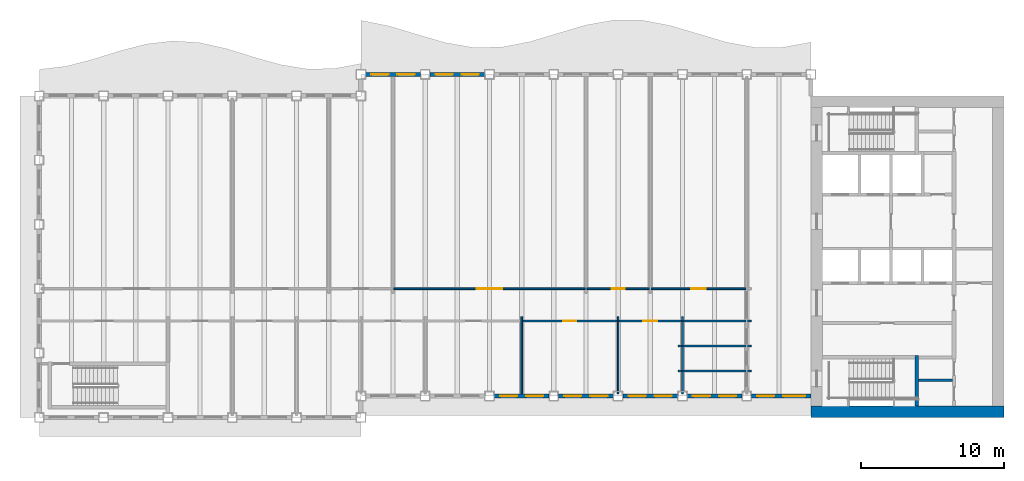
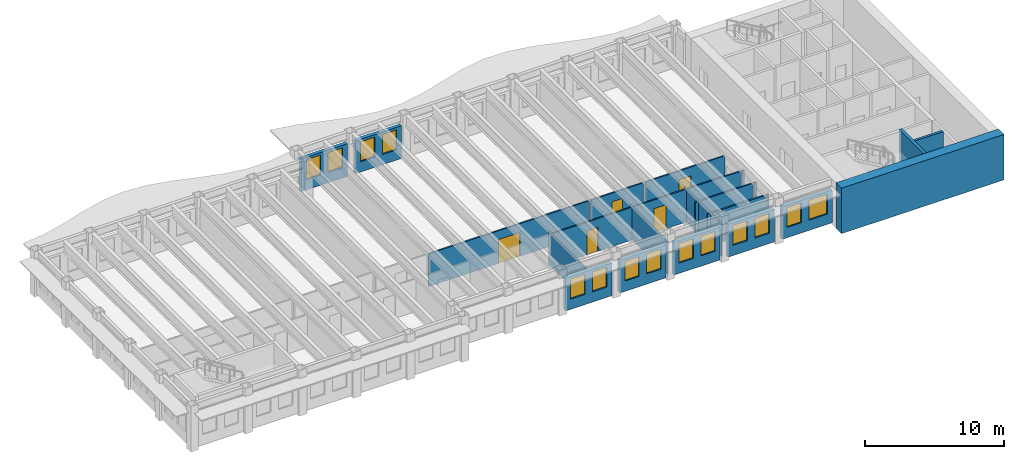
# One storey, part 4 of 12: 26 walls, 14 windows, 5 doors, 19 openings.
"""IFC4 building model written with IfcOpenShell, lengths in metres."""

from ifc_helpers import new_model, si_unit, direction, frame, frame_2d, origin, place, context, subcontext, project, spatial, rectangle, extrude, material, layer, layer_set, type_object, element, fill, save


model = new_model("IFC4")

# Units and contexts
model_context = context("Model", 3, precision=1e-05, world=origin(), true_north=direction((0.0, 1.0)))
body_context = subcontext(model_context, "Body", "Model", "MODEL_VIEW")
ifc_project = project(units=[si_unit("LENGTHUNIT", "METRE"), si_unit("AREAUNIT", "SQUARE_METRE"), si_unit("VOLUMEUNIT", "CUBIC_METRE"), si_unit("PLANEANGLEUNIT", "RADIAN"), si_unit("MASSUNIT", "GRAM", prefix="KILO")], contexts=[model_context])

# Site, building, storey
site_placement = place(None, origin())
site = spatial("IfcSite", under=ifc_project, at=site_placement, CompositionType="ELEMENT")
building_placement = place(site_placement, origin())
building = spatial("IfcBuilding", under=site, at=building_placement, Name="Sennacour Bend Tower", CompositionType="ELEMENT")
storey_placement = place(building_placement, frame((0.0, 0.0, 273.0)))
storey = spatial("IfcBuildingStorey", under=building, at=storey_placement, Name="L63", CompositionType="ELEMENT", Elevation=273.0)

# Walls
ifc_material_1 = material(Name="Concrete C50/60", Category="concrete")
ifc_layer_1 = layer(ifc_material_1, 0.800048828125, Name="Concrete C50/60", Category="concrete")
ifc_layer_set_1 = layer_set([ifc_layer_1], Name="Concrete C50/60")
wall_type_1 = type_object("IfcWallType", Name="Core wall 800 C50/60", PredefinedType="SHEAR", material=ifc_layer_set_1)
wall_1_placement = place(storey_placement, frame((67.5, 0.39990234375, -0.14990234375), z_axis=(0.0, 0.0, 1.0), x_axis=(-1.0, 0.0, 0.0)))
element("IfcWall", 1, at=wall_1_placement, inside=storey, type_object=wall_type_1, Name="Core A wall L63 S", PredefinedType="SHEAR", context=body_context, shape_type="SweptSolid", body=[
    extrude(rectangle(XDim=13.5, YDim=0.800048828125, at=frame_2d((6.75, 0.0))), origin(), (0.0, 0.0, 1.0), 4.0),
])
ifc_material_2 = material(Name="Plasterboard partition on steel studs", Category="steel")
ifc_layer_2 = layer(ifc_material_2, 0.1201171875, Name="Plasterboard partition on steel studs", Category="steel")
ifc_layer_set_2 = layer_set([ifc_layer_2], Name="Plasterboard partition on steel studs")
wall_type_2 = type_object("IfcWallType", Name="Partition 120", PredefinedType="PARTITIONING", material=ifc_layer_set_2)
for number, where, z_axis, x_axis, name in (
    (2, (33.75, 1.64990234375, 0.0), (0.0, 0.0, 1.0), (0.0, 1.0, 0.0), "P-L63-W013a"),
    (3, (40.5, 1.64990234375, 0.0), (0.0, 0.0, 1.0), (0.0, 1.0, 0.0), "P-L63-W015a"),
    (4, (45.0, 1.64990234375, 0.0), (0.0, 0.0, 1.0), (0.0, 1.0, 0.0), "P-L63-W017a"),
):
    element("IfcWall", number, at=place(storey_placement, frame(where, z_axis=z_axis, x_axis=x_axis)), inside=storey, type_object=wall_type_2, Name=name, PredefinedType="PARTITIONING", context=body_context, shape_type="SweptSolid", body=[
        extrude(rectangle(XDim=5.400146484375, YDim=0.1201171875, at=frame_2d((2.7001953125, 0.0))), origin(), (0.0, 0.0, 1.0), 2.8701171875),
    ])
wall_2_placement = place(storey_placement, frame((44.699951171875, 3.25, 0.0), z_axis=(0.0, 0.0, 1.0), x_axis=(1.0, 0.0, 0.0)))
element("IfcWall", 5, at=wall_2_placement, inside=storey, type_object=wall_type_2, Name="P-L63-W036aa", PredefinedType="PARTITIONING", context=body_context, shape_type="SweptSolid", body=[
    extrude(rectangle(XDim=0.239990234375, YDim=0.1201171875, at=frame_2d((0.1201171875, 0.0))), origin(), (0.0, 0.0, 1.0), 2.8701171875),
])
wall_3_placement = place(storey_placement, frame((45.06005859375, 3.25, 0.0), z_axis=(0.0, 0.0, 1.0), x_axis=(1.0, 0.0, 0.0)))
element("IfcWall", 6, at=wall_3_placement, inside=storey, type_object=wall_type_2, Name="P-L63-W036ab", PredefinedType="PARTITIONING", context=body_context, shape_type="SweptSolid", body=[
    extrude(rectangle(XDim=4.3798828125, YDim=0.1201171875, at=frame_2d((2.18994140625, 0.0))), origin(), (0.0, 0.0, 1.0), 2.8701171875),
])
for number, where, z_axis, x_axis, name in (
    (7, (49.56005859375, 3.25, 0.0), (0.0, 0.0, 1.0), (1.0, 0.0, 0.0), "P-L63-W036ac"),
    (8, (44.699951171875, 5.0, 0.0), (0.0, 0.0, 1.0), (1.0, 0.0, 0.0), "P-L63-W041aa"),
):
    element("IfcWall", number, at=place(storey_placement, frame(where, z_axis=z_axis, x_axis=x_axis)), inside=storey, type_object=wall_type_2, Name=name, PredefinedType="PARTITIONING", context=body_context, shape_type="SweptSolid", body=[
        extrude(rectangle(XDim=0.239990234375, YDim=0.1201171875, at=frame_2d((0.1201171875, 0.0))), origin(), (0.0, 0.0, 1.0), 2.8701171875),
    ])
wall_4_placement = place(storey_placement, frame((45.06005859375, 5.0, 0.0), z_axis=(0.0, 0.0, 1.0), x_axis=(1.0, 0.0, 0.0)))
element("IfcWall", 9, at=wall_4_placement, inside=storey, type_object=wall_type_2, Name="P-L63-W041ab", PredefinedType="PARTITIONING", context=body_context, shape_type="SweptSolid", body=[
    extrude(rectangle(XDim=4.3798828125, YDim=0.1201171875, at=frame_2d((2.18994140625, 0.0))), origin(), (0.0, 0.0, 1.0), 2.8701171875),
])
wall_5_placement = place(storey_placement, frame((49.56005859375, 5.0, 0.0), z_axis=(0.0, 0.0, 1.0), x_axis=(1.0, 0.0, 0.0)))
element("IfcWall", 10, at=wall_5_placement, inside=storey, type_object=wall_type_2, Name="P-L63-W041ac", PredefinedType="PARTITIONING", context=body_context, shape_type="SweptSolid", body=[
    extrude(rectangle(XDim=0.239990234375, YDim=0.1201171875, at=frame_2d((0.1201171875, 0.0))), origin(), (0.0, 0.0, 1.0), 2.8701171875),
])

# Wall, opening, door
wall_6_placement = place(storey_placement, frame((40.56005859375, 6.75, 0.0), z_axis=(0.0, 0.0, 1.0), x_axis=(1.0, 0.0, 0.0)))
wall_6 = element("IfcWall", 11, at=wall_6_placement, inside=storey, type_object=wall_type_2, Name="P-L63-W043ah", PredefinedType="PARTITIONING", context=body_context, shape_type="SweptSolid", body=[
    extrude(rectangle(XDim=4.3798828125, YDim=0.1201171875, at=frame_2d((2.18994140625, 0.0))), origin(), (0.0, 0.0, 1.0), 2.8701171875),
])
opening_1_placement = place(wall_6_placement, frame((1.68994140625, 0.0, 0.0)))
opening_1 = element("IfcOpeningElement", 12, at=opening_1_placement, cuts=wall_6, Name="Opening OD2", PredefinedType="OPENING", context=body_context, shape_type="SweptSolid", body=[
    extrude(rectangle(XDim=1.0, YDim=2.10009765625, at=frame_2d((0.5, 1.050048828125))), frame((0.0, 0.070068359375, 0.0), z_axis=(0.0, -1.0, 0.0), x_axis=(1.0, 0.0, 0.0)), (0.0, 0.0, 1.0), 0.14013671875),
])
ifc_material_3 = material(Name="Timber", Category="wood")
door_type_1 = type_object("IfcDoorType", Name="DR-OFFICE-1000", OperationType="NOTDEFINED", PredefinedType="DOOR", material=ifc_material_3)
door_1_placement = place(opening_1_placement, origin())
door_1 = element("IfcDoor", 13, at=door_1_placement, inside=storey, type_object=door_type_1, Name="Door", OperationType="SINGLE_SWING_LEFT", OverallHeight=2.10009765625, OverallWidth=1.0, PredefinedType="DOOR", context=body_context, shape_type="SweptSolid", body=[
    extrude(rectangle(XDim=1.0, YDim=2.10009765625, at=frame_2d((0.5, 1.050048828125))), frame((0.0, 0.02490234375, 0.0), z_axis=(0.0, -1.0, 0.0), x_axis=(1.0, 0.0, 0.0)), (0.0, 0.0, 1.0), 0.050048828125),
])
fill(opening_1, door_1)

# Walls
wall_7_placement = place(storey_placement, frame((45.06005859375, 6.75, 0.0), z_axis=(0.0, 0.0, 1.0), x_axis=(1.0, 0.0, 0.0)))
element("IfcWall", 14, at=wall_7_placement, inside=storey, type_object=wall_type_2, Name="P-L63-W043ai", PredefinedType="PARTITIONING", context=body_context, shape_type="SweptSolid", body=[
    extrude(rectangle(XDim=4.3798828125, YDim=0.1201171875, at=frame_2d((2.18994140625, 0.0))), origin(), (0.0, 0.0, 1.0), 2.8701171875),
])
wall_8_placement = place(storey_placement, frame((49.56005859375, 6.75, 0.0), z_axis=(0.0, 0.0, 1.0), x_axis=(1.0, 0.0, 0.0)))
element("IfcWall", 15, at=wall_8_placement, inside=storey, type_object=wall_type_2, Name="P-L63-W043aj", PredefinedType="PARTITIONING", context=body_context, shape_type="SweptSolid", body=[
    extrude(rectangle(XDim=0.239990234375, YDim=0.1201171875, at=frame_2d((0.1201171875, 0.0))), origin(), (0.0, 0.0, 1.0), 2.8701171875),
])

# Wall, opening, door
wall_9_placement = place(storey_placement, frame((24.81005859375, 9.0, 0.0), z_axis=(0.0, 0.0, 1.0), x_axis=(1.0, 0.0, 0.0)))
wall_9 = element("IfcWall", 16, at=wall_9_placement, inside=storey, type_object=wall_type_2, Name="P-L63-W044ad", PredefinedType="PARTITIONING", context=body_context, shape_type="SweptSolid", body=[
    extrude(rectangle(XDim=13.3798828125, YDim=0.1201171875, at=frame_2d((6.68994140625, 0.0))), origin(), (0.0, 0.0, 1.0), 2.8701171875),
])
opening_2_placement = place(wall_9_placement, frame((5.789794921875, 0.0, 0.0)))
opening_2 = element("IfcOpeningElement", 17, at=opening_2_placement, cuts=wall_9, Name="Opening OD3", PredefinedType="OPENING", context=body_context, shape_type="SweptSolid", body=[
    extrude(rectangle(XDim=1.800048828125, YDim=2.10009765625, at=frame_2d((0.89990234375, 1.050048828125))), frame((0.0, 0.070068359375, 0.0), z_axis=(0.0, -1.0, 0.0), x_axis=(1.0, 0.0, 0.0)), (0.0, 0.0, 1.0), 0.14013671875),
])
door_type_2 = type_object("IfcDoorType", Name="DR-OFFICE-1800", OperationType="NOTDEFINED", PredefinedType="DOOR", material=ifc_material_3)
door_2_placement = place(opening_2_placement, origin())
door_2 = element("IfcDoor", 18, at=door_2_placement, inside=storey, type_object=door_type_2, Name="Door", OperationType="DOUBLE_DOOR_SINGLE_SWING", OverallHeight=2.10009765625, OverallWidth=1.800048828125, PredefinedType="DOOR", context=body_context, shape_type="SweptSolid", body=[
    extrude(rectangle(XDim=1.800048828125, YDim=2.10009765625, at=frame_2d((0.89990234375, 1.050048828125))), frame((0.0, 0.02490234375, 0.0), z_axis=(0.0, -1.0, 0.0), x_axis=(1.0, 0.0, 0.0)), (0.0, 0.0, 1.0), 0.050048828125),
])
fill(opening_2, door_2)

wall_10_placement = place(storey_placement, frame((42.81005859375, 9.0, 0.0), z_axis=(0.0, 0.0, 1.0), x_axis=(1.0, 0.0, 0.0)))
wall_10 = element("IfcWall", 19, at=wall_10_placement, inside=storey, type_object=wall_type_2, Name="P-L63-W044af", PredefinedType="PARTITIONING", context=body_context, shape_type="SweptSolid", body=[
    extrude(rectangle(XDim=6.6298828125, YDim=0.1201171875, at=frame_2d((3.31494140625, 0.0))), origin(), (0.0, 0.0, 1.0), 2.8701171875),
])
opening_3_placement = place(wall_10_placement, frame((2.81494140625, 0.0, 0.0)))
opening_3 = element("IfcOpeningElement", 20, at=opening_3_placement, cuts=wall_10, Name="Opening OD2", PredefinedType="OPENING", context=body_context, shape_type="SweptSolid", body=[
    extrude(rectangle(XDim=1.0, YDim=2.10009765625, at=frame_2d((0.5, 1.050048828125))), frame((0.0, 0.070068359375, 0.0), z_axis=(0.0, -1.0, 0.0), x_axis=(1.0, 0.0, 0.0)), (0.0, 0.0, 1.0), 0.14013671875),
])
door_3_placement = place(opening_3_placement, origin())
door_3 = element("IfcDoor", 21, at=door_3_placement, inside=storey, type_object=door_type_1, Name="Door", OperationType="SINGLE_SWING_LEFT", OverallHeight=2.10009765625, OverallWidth=1.0, PredefinedType="DOOR", context=body_context, shape_type="SweptSolid", body=[
    extrude(rectangle(XDim=1.0, YDim=2.10009765625, at=frame_2d((0.5, 1.050048828125))), frame((0.0, 0.02490234375, 0.0), z_axis=(0.0, -1.0, 0.0), x_axis=(1.0, 0.0, 0.0)), (0.0, 0.0, 1.0), 0.050048828125),
])
fill(opening_3, door_3)

ifc_layer_3 = layer(ifc_material_2, 0.1201171875, Name="Plasterboard partition on steel studs", Category="steel")
ifc_layer_set_3 = layer_set([ifc_layer_3], Name="Plasterboard partition on steel studs")
wall_type_3 = type_object("IfcWallType", Name="Partition 120 EI 60", PredefinedType="PARTITIONING", material=ifc_layer_set_3)
wall_11_placement = place(storey_placement, frame((33.81005859375, 6.75, 0.0), z_axis=(0.0, 0.0, 1.0), x_axis=(1.0, 0.0, 0.0)))
wall_11 = element("IfcWall", 22, at=wall_11_placement, inside=storey, type_object=wall_type_3, Name="P-L63-W043ag", PredefinedType="PARTITIONING", context=body_context, shape_type="SweptSolid", body=[
    extrude(rectangle(XDim=6.6298828125, YDim=0.1201171875, at=frame_2d((3.31494140625, 0.0))), origin(), (0.0, 0.0, 1.0), 2.8701171875),
])
opening_4_placement = place(wall_11_placement, frame((2.864990234375, 0.0, 0.0)))
opening_4 = element("IfcOpeningElement", 23, at=opening_4_placement, cuts=wall_11, Name="Opening SV", PredefinedType="OPENING", context=body_context, shape_type="SweptSolid", body=[
    extrude(rectangle(XDim=0.89990234375, YDim=2.10009765625, at=frame_2d((0.449951171875, 1.050048828125))), frame((0.0, 0.070068359375, 0.0), z_axis=(0.0, -1.0, 0.0), x_axis=(1.0, 0.0, 0.0)), (0.0, 0.0, 1.0), 0.14013671875),
])
ifc_material_4 = material(Name="Painted steel", Category="steel")
door_type_3 = type_object("IfcDoorType", Name="DR-SERVICE-900", OperationType="NOTDEFINED", PredefinedType="DOOR", material=ifc_material_4)
door_4_placement = place(opening_4_placement, origin())
door_4 = element("IfcDoor", 24, at=door_4_placement, inside=storey, type_object=door_type_3, Name="Door", OperationType="SINGLE_SWING_LEFT", OverallHeight=2.10009765625, OverallWidth=0.89990234375, PredefinedType="DOOR", context=body_context, shape_type="SweptSolid", body=[
    extrude(rectangle(XDim=0.89990234375, YDim=2.10009765625, at=frame_2d((0.449951171875, 1.050048828125))), frame((0.0, 0.02490234375, 0.0), z_axis=(0.0, -1.0, 0.0), x_axis=(1.0, 0.0, 0.0)), (0.0, 0.0, 1.0), 0.050048828125),
])
fill(opening_4, door_4)

wall_12_placement = place(storey_placement, frame((38.31005859375, 9.0, 0.0), z_axis=(0.0, 0.0, 1.0), x_axis=(1.0, 0.0, 0.0)))
wall_12 = element("IfcWall", 25, at=wall_12_placement, inside=storey, type_object=wall_type_3, Name="P-L63-W044ae", PredefinedType="PARTITIONING", context=body_context, shape_type="SweptSolid", body=[
    extrude(rectangle(XDim=4.3798828125, YDim=0.1201171875, at=frame_2d((2.18994140625, 0.0))), origin(), (0.0, 0.0, 1.0), 2.8701171875),
])
opening_5_placement = place(wall_12_placement, frame((1.739990234375, 0.0, 0.0)))
opening_5 = element("IfcOpeningElement", 26, at=opening_5_placement, cuts=wall_12, Name="Opening SV", PredefinedType="OPENING", context=body_context, shape_type="SweptSolid", body=[
    extrude(rectangle(XDim=0.89990234375, YDim=2.10009765625, at=frame_2d((0.449951171875, 1.050048828125))), frame((0.0, 0.070068359375, 0.0), z_axis=(0.0, -1.0, 0.0), x_axis=(1.0, 0.0, 0.0)), (0.0, 0.0, 1.0), 0.14013671875),
])
door_5_placement = place(opening_5_placement, origin())
door_5 = element("IfcDoor", 27, at=door_5_placement, inside=storey, type_object=door_type_3, Name="Door", OperationType="SINGLE_SWING_LEFT", OverallHeight=2.10009765625, OverallWidth=0.89990234375, PredefinedType="DOOR", context=body_context, shape_type="SweptSolid", body=[
    extrude(rectangle(XDim=0.89990234375, YDim=2.10009765625, at=frame_2d((0.449951171875, 1.050048828125))), frame((0.0, 0.02490234375, 0.0), z_axis=(0.0, -1.0, 0.0), x_axis=(1.0, 0.0, 0.0)), (0.0, 0.0, 1.0), 0.050048828125),
])
fill(opening_5, door_5)

# Wall
ifc_material_5 = material(Name="Fire-rated plasterboard partition on steel studs", Category="steel")
ifc_layer_4 = layer(ifc_material_5, 0.199951171875, Name="Fire-rated plasterboard partition on steel studs", Category="steel")
ifc_layer_set_4 = layer_set([ifc_layer_4], Name="Fire-rated plasterboard partition on steel studs")
wall_type_4 = type_object("IfcWallType", Name="Rated partition 200", PredefinedType="PARTITIONING", material=ifc_layer_set_4)
wall_13_placement = place(storey_placement, frame((61.52490234375, 2.60009765625, 0.0), z_axis=(0.0, 0.0, 1.0), x_axis=(1.0, 0.0, 0.0)))
element("IfcWall", 28, at=wall_13_placement, inside=storey, type_object=wall_type_4, Name="P-L63-W035", PredefinedType="PARTITIONING", context=body_context, shape_type="SweptSolid", body=[
    extrude(rectangle(XDim=2.375, YDim=0.199951171875, at=frame_2d((1.1875, 0.0))), origin(), (0.0, 0.0, 1.0), 3.85009765625),
])

# Wall, openings, windows
ifc_material_6 = material(Name="Warm limestone cladding", Category="masonry")
ifc_layer_5 = layer(ifc_material_6, 0.050048828125, Name="Warm limestone cladding", Category="masonry")
ifc_material_7 = material(Name="Precast concrete C40/50", Category="concrete")
ifc_layer_6 = layer(ifc_material_7, 0.25, Name="Precast concrete C40/50", Category="concrete")
ifc_layer_set_5 = layer_set([ifc_layer_5, ifc_layer_6], Name="Precast concrete C40/50 with limestone cladding")
wall_type_5 = type_object("IfcWallType", Name="STONE-CLAD PRECAST SPANDREL 300", PredefinedType="STANDARD", material=ifc_layer_set_5)
wall_14_placement = place(storey_placement, frame((31.824951171875, 1.5, 0.0), z_axis=(0.0, 0.0, 1.0), x_axis=(1.0, 0.0, 0.0)))
wall_14 = element("IfcWall", 29, at=wall_14_placement, inside=storey, type_object=wall_type_5, Name="Stone spandrel and pier wall L63 01.02", PredefinedType="STANDARD", context=body_context, shape_type="SweptSolid", body=[
    extrude(rectangle(XDim=3.85009765625, YDim=0.300048828125, at=frame_2d((1.925048828125, 0.0))), origin(), (0.0, 0.0, 1.0), 2.8701171875),
])
opening_6_placement = place(wall_14_placement, frame((0.41259765625, 0.0, 0.89990234375)))
opening_6 = element("IfcOpeningElement", 30, at=opening_6_placement, cuts=wall_14, Name="Opening W16", PredefinedType="OPENING", context=body_context, shape_type="SweptSolid", body=[
    extrude(rectangle(XDim=1.199951171875, YDim=1.75, at=frame_2d((0.60009765625, 0.875))), frame((0.0, 0.16015625, 0.0), z_axis=(0.0, -1.0, 0.0), x_axis=(1.0, 0.0, 0.0)), (0.0, 0.0, 1.0), 0.320068359375),
])
opening_7_placement = place(wall_14_placement, frame((2.237548828125, 0.0, 0.89990234375)))
opening_7 = element("IfcOpeningElement", 31, at=opening_7_placement, cuts=wall_14, Name="Opening W16", PredefinedType="OPENING", context=body_context, shape_type="SweptSolid", body=[
    extrude(rectangle(XDim=1.199951171875, YDim=1.75, at=frame_2d((0.60009765625, 0.875))), frame((0.0, 0.16015625, 0.0), z_axis=(0.0, -1.0, 0.0), x_axis=(1.0, 0.0, 0.0)), (0.0, 0.0, 1.0), 0.320068359375),
])
ifc_material_8 = material(Name="Clear low-emissivity glass", Category="glass")
window_type_1 = type_object("IfcWindowType", Name="WIN-RIBBON-1200x1750", PartitioningType="SINGLE_PANEL", PredefinedType="WINDOW", material=ifc_material_8)
window_1_placement = place(opening_6_placement, origin())
window_1 = element("IfcWindow", 32, at=window_1_placement, inside=storey, type_object=window_type_1, Name="Ribbon window L63 01.02.0", OverallHeight=1.75, OverallWidth=1.199951171875, PartitioningType="SINGLE_PANEL", PredefinedType="WINDOW", context=body_context, shape_type="SweptSolid", body=[
    extrude(rectangle(XDim=1.199951171875, YDim=1.75, at=frame_2d((0.60009765625, 0.875))), frame((0.0, 0.030029296875, 0.0), z_axis=(0.0, -1.0, 0.0), x_axis=(1.0, 0.0, 0.0)), (0.0, 0.0, 1.0), 0.06005859375),
])
fill(opening_6, window_1)
window_2_placement = place(opening_7_placement, origin())
window_2 = element("IfcWindow", 33, at=window_2_placement, inside=storey, type_object=window_type_1, Name="Ribbon window L63 01.02.1", OverallHeight=1.75, OverallWidth=1.199951171875, PartitioningType="SINGLE_PANEL", PredefinedType="WINDOW", context=body_context, shape_type="SweptSolid", body=[
    extrude(rectangle(XDim=1.199951171875, YDim=1.75, at=frame_2d((0.60009765625, 0.875))), frame((0.0, 0.030029296875, 0.0), z_axis=(0.0, -1.0, 0.0), x_axis=(1.0, 0.0, 0.0)), (0.0, 0.0, 1.0), 0.06005859375),
])
fill(opening_7, window_2)

wall_15_placement = place(storey_placement, frame((36.324951171875, 1.5, 0.0), z_axis=(0.0, 0.0, 1.0), x_axis=(1.0, 0.0, 0.0)))
wall_15 = element("IfcWall", 34, at=wall_15_placement, inside=storey, type_object=wall_type_5, Name="Stone spandrel and pier wall L63 01.03", PredefinedType="STANDARD", context=body_context, shape_type="SweptSolid", body=[
    extrude(rectangle(XDim=3.85009765625, YDim=0.300048828125, at=frame_2d((1.925048828125, 0.0))), origin(), (0.0, 0.0, 1.0), 2.8701171875),
])
opening_8_placement = place(wall_15_placement, frame((0.41259765625, 0.0, 0.89990234375)))
opening_8 = element("IfcOpeningElement", 35, at=opening_8_placement, cuts=wall_15, Name="Opening W16", PredefinedType="OPENING", context=body_context, shape_type="SweptSolid", body=[
    extrude(rectangle(XDim=1.199951171875, YDim=1.75, at=frame_2d((0.60009765625, 0.875))), frame((0.0, 0.16015625, 0.0), z_axis=(0.0, -1.0, 0.0), x_axis=(1.0, 0.0, 0.0)), (0.0, 0.0, 1.0), 0.320068359375),
])
opening_9_placement = place(wall_15_placement, frame((2.237548828125, 0.0, 0.89990234375)))
opening_9 = element("IfcOpeningElement", 36, at=opening_9_placement, cuts=wall_15, Name="Opening W16", PredefinedType="OPENING", context=body_context, shape_type="SweptSolid", body=[
    extrude(rectangle(XDim=1.199951171875, YDim=1.75, at=frame_2d((0.60009765625, 0.875))), frame((0.0, 0.16015625, 0.0), z_axis=(0.0, -1.0, 0.0), x_axis=(1.0, 0.0, 0.0)), (0.0, 0.0, 1.0), 0.320068359375),
])
window_3_placement = place(opening_8_placement, origin())
window_3 = element("IfcWindow", 37, at=window_3_placement, inside=storey, type_object=window_type_1, Name="Ribbon window L63 01.03.0", OverallHeight=1.75, OverallWidth=1.199951171875, PartitioningType="SINGLE_PANEL", PredefinedType="WINDOW", context=body_context, shape_type="SweptSolid", body=[
    extrude(rectangle(XDim=1.199951171875, YDim=1.75, at=frame_2d((0.60009765625, 0.875))), frame((0.0, 0.030029296875, 0.0), z_axis=(0.0, -1.0, 0.0), x_axis=(1.0, 0.0, 0.0)), (0.0, 0.0, 1.0), 0.06005859375),
])
fill(opening_8, window_3)
window_4_placement = place(opening_9_placement, origin())
window_4 = element("IfcWindow", 38, at=window_4_placement, inside=storey, type_object=window_type_1, Name="Ribbon window L63 01.03.1", OverallHeight=1.75, OverallWidth=1.199951171875, PartitioningType="SINGLE_PANEL", PredefinedType="WINDOW", context=body_context, shape_type="SweptSolid", body=[
    extrude(rectangle(XDim=1.199951171875, YDim=1.75, at=frame_2d((0.60009765625, 0.875))), frame((0.0, 0.030029296875, 0.0), z_axis=(0.0, -1.0, 0.0), x_axis=(1.0, 0.0, 0.0)), (0.0, 0.0, 1.0), 0.06005859375),
])
fill(opening_9, window_4)

wall_16_placement = place(storey_placement, frame((40.824951171875, 1.5, 0.0), z_axis=(0.0, 0.0, 1.0), x_axis=(1.0, 0.0, 0.0)))
wall_16 = element("IfcWall", 39, at=wall_16_placement, inside=storey, type_object=wall_type_5, Name="Stone spandrel and pier wall L63 01.04", PredefinedType="STANDARD", context=body_context, shape_type="SweptSolid", body=[
    extrude(rectangle(XDim=3.85009765625, YDim=0.300048828125, at=frame_2d((1.925048828125, 0.0))), origin(), (0.0, 0.0, 1.0), 2.8701171875),
])
opening_10_placement = place(wall_16_placement, frame((0.41259765625, 0.0, 0.89990234375)))
opening_10 = element("IfcOpeningElement", 40, at=opening_10_placement, cuts=wall_16, Name="Opening W16", PredefinedType="OPENING", context=body_context, shape_type="SweptSolid", body=[
    extrude(rectangle(XDim=1.199951171875, YDim=1.75, at=frame_2d((0.60009765625, 0.875))), frame((0.0, 0.16015625, 0.0), z_axis=(0.0, -1.0, 0.0), x_axis=(1.0, 0.0, 0.0)), (0.0, 0.0, 1.0), 0.320068359375),
])
opening_11_placement = place(wall_16_placement, frame((2.237548828125, 0.0, 0.89990234375)))
opening_11 = element("IfcOpeningElement", 41, at=opening_11_placement, cuts=wall_16, Name="Opening W16", PredefinedType="OPENING", context=body_context, shape_type="SweptSolid", body=[
    extrude(rectangle(XDim=1.199951171875, YDim=1.75, at=frame_2d((0.60009765625, 0.875))), frame((0.0, 0.16015625, 0.0), z_axis=(0.0, -1.0, 0.0), x_axis=(1.0, 0.0, 0.0)), (0.0, 0.0, 1.0), 0.320068359375),
])
window_5_placement = place(opening_10_placement, origin())
window_5 = element("IfcWindow", 42, at=window_5_placement, inside=storey, type_object=window_type_1, Name="Ribbon window L63 01.04.0", OverallHeight=1.75, OverallWidth=1.199951171875, PartitioningType="SINGLE_PANEL", PredefinedType="WINDOW", context=body_context, shape_type="SweptSolid", body=[
    extrude(rectangle(XDim=1.199951171875, YDim=1.75, at=frame_2d((0.60009765625, 0.875))), frame((0.0, 0.030029296875, 0.0), z_axis=(0.0, -1.0, 0.0), x_axis=(1.0, 0.0, 0.0)), (0.0, 0.0, 1.0), 0.06005859375),
])
fill(opening_10, window_5)
window_6_placement = place(opening_11_placement, origin())
window_6 = element("IfcWindow", 43, at=window_6_placement, inside=storey, type_object=window_type_1, Name="Ribbon window L63 01.04.1", OverallHeight=1.75, OverallWidth=1.199951171875, PartitioningType="SINGLE_PANEL", PredefinedType="WINDOW", context=body_context, shape_type="SweptSolid", body=[
    extrude(rectangle(XDim=1.199951171875, YDim=1.75, at=frame_2d((0.60009765625, 0.875))), frame((0.0, 0.030029296875, 0.0), z_axis=(0.0, -1.0, 0.0), x_axis=(1.0, 0.0, 0.0)), (0.0, 0.0, 1.0), 0.06005859375),
])
fill(opening_11, window_6)

wall_17_placement = place(storey_placement, frame((45.324951171875, 1.5, 0.0), z_axis=(0.0, 0.0, 1.0), x_axis=(1.0, 0.0, 0.0)))
wall_17 = element("IfcWall", 44, at=wall_17_placement, inside=storey, type_object=wall_type_5, Name="Stone spandrel and pier wall L63 01.05", PredefinedType="STANDARD", context=body_context, shape_type="SweptSolid", body=[
    extrude(rectangle(XDim=3.85009765625, YDim=0.300048828125, at=frame_2d((1.925048828125, 0.0))), origin(), (0.0, 0.0, 1.0), 2.8701171875),
])
opening_12_placement = place(wall_17_placement, frame((0.41259765625, 0.0, 0.89990234375)))
opening_12 = element("IfcOpeningElement", 45, at=opening_12_placement, cuts=wall_17, Name="Opening W16", PredefinedType="OPENING", context=body_context, shape_type="SweptSolid", body=[
    extrude(rectangle(XDim=1.199951171875, YDim=1.75, at=frame_2d((0.60009765625, 0.875))), frame((0.0, 0.16015625, 0.0), z_axis=(0.0, -1.0, 0.0), x_axis=(1.0, 0.0, 0.0)), (0.0, 0.0, 1.0), 0.320068359375),
])
opening_13_placement = place(wall_17_placement, frame((2.237548828125, 0.0, 0.89990234375)))
opening_13 = element("IfcOpeningElement", 46, at=opening_13_placement, cuts=wall_17, Name="Opening W16", PredefinedType="OPENING", context=body_context, shape_type="SweptSolid", body=[
    extrude(rectangle(XDim=1.199951171875, YDim=1.75, at=frame_2d((0.60009765625, 0.875))), frame((0.0, 0.16015625, 0.0), z_axis=(0.0, -1.0, 0.0), x_axis=(1.0, 0.0, 0.0)), (0.0, 0.0, 1.0), 0.320068359375),
])
window_7_placement = place(opening_12_placement, origin())
window_7 = element("IfcWindow", 47, at=window_7_placement, inside=storey, type_object=window_type_1, Name="Ribbon window L63 01.05.0", OverallHeight=1.75, OverallWidth=1.199951171875, PartitioningType="SINGLE_PANEL", PredefinedType="WINDOW", context=body_context, shape_type="SweptSolid", body=[
    extrude(rectangle(XDim=1.199951171875, YDim=1.75, at=frame_2d((0.60009765625, 0.875))), frame((0.0, 0.030029296875, 0.0), z_axis=(0.0, -1.0, 0.0), x_axis=(1.0, 0.0, 0.0)), (0.0, 0.0, 1.0), 0.06005859375),
])
fill(opening_12, window_7)
window_8_placement = place(opening_13_placement, origin())
window_8 = element("IfcWindow", 48, at=window_8_placement, inside=storey, type_object=window_type_1, Name="Ribbon window L63 01.05.1", OverallHeight=1.75, OverallWidth=1.199951171875, PartitioningType="SINGLE_PANEL", PredefinedType="WINDOW", context=body_context, shape_type="SweptSolid", body=[
    extrude(rectangle(XDim=1.199951171875, YDim=1.75, at=frame_2d((0.60009765625, 0.875))), frame((0.0, 0.030029296875, 0.0), z_axis=(0.0, -1.0, 0.0), x_axis=(1.0, 0.0, 0.0)), (0.0, 0.0, 1.0), 0.06005859375),
])
fill(opening_13, window_8)

wall_18_placement = place(storey_placement, frame((49.824951171875, 1.5, 0.0), z_axis=(0.0, 0.0, 1.0), x_axis=(1.0, 0.0, 0.0)))
wall_18 = element("IfcWall", 49, at=wall_18_placement, inside=storey, type_object=wall_type_5, Name="Stone spandrel and pier wall L63 01.06", PredefinedType="STANDARD", context=body_context, shape_type="SweptSolid", body=[
    extrude(rectangle(XDim=4.175048828125, YDim=0.300048828125, at=frame_2d((2.08740234375, 0.0))), origin(), (0.0, 0.0, 1.0), 2.8701171875),
])
opening_14_placement = place(wall_18_placement, frame((0.41259765625, 0.0, 0.89990234375)))
opening_14 = element("IfcOpeningElement", 50, at=opening_14_placement, cuts=wall_18, Name="Opening W16", PredefinedType="OPENING", context=body_context, shape_type="SweptSolid", body=[
    extrude(rectangle(XDim=1.199951171875, YDim=1.75, at=frame_2d((0.60009765625, 0.875))), frame((0.0, 0.16015625, 0.0), z_axis=(0.0, -1.0, 0.0), x_axis=(1.0, 0.0, 0.0)), (0.0, 0.0, 1.0), 0.320068359375),
])
opening_15_placement = place(wall_18_placement, frame((2.22509765625, 0.0, 0.89990234375)))
opening_15 = element("IfcOpeningElement", 51, at=opening_15_placement, cuts=wall_18, Name="Opening W12", PredefinedType="OPENING", context=body_context, shape_type="SweptSolid", body=[
    extrude(rectangle(XDim=1.550048828125, YDim=1.75, at=frame_2d((0.77490234375, 0.875))), frame((0.0, 0.16015625, 0.0), z_axis=(0.0, -1.0, 0.0), x_axis=(1.0, 0.0, 0.0)), (0.0, 0.0, 1.0), 0.320068359375),
])
window_9_placement = place(opening_14_placement, origin())
window_9 = element("IfcWindow", 52, at=window_9_placement, inside=storey, type_object=window_type_1, Name="Ribbon window L63 01.06.0", OverallHeight=1.75, OverallWidth=1.199951171875, PartitioningType="SINGLE_PANEL", PredefinedType="WINDOW", context=body_context, shape_type="SweptSolid", body=[
    extrude(rectangle(XDim=1.199951171875, YDim=1.75, at=frame_2d((0.60009765625, 0.875))), frame((0.0, 0.030029296875, 0.0), z_axis=(0.0, -1.0, 0.0), x_axis=(1.0, 0.0, 0.0)), (0.0, 0.0, 1.0), 0.06005859375),
])
fill(opening_14, window_9)
window_type_2 = type_object("IfcWindowType", Name="WIN-RIBBON-1550x1750", PartitioningType="SINGLE_PANEL", PredefinedType="WINDOW", material=ifc_material_8)
window_10_placement = place(opening_15_placement, origin())
window_10 = element("IfcWindow", 53, at=window_10_placement, inside=storey, type_object=window_type_2, Name="Ribbon window L63 01.06.1", OverallHeight=1.75, OverallWidth=1.550048828125, PartitioningType="SINGLE_PANEL", PredefinedType="WINDOW", context=body_context, shape_type="SweptSolid", body=[
    extrude(rectangle(XDim=1.550048828125, YDim=1.75, at=frame_2d((0.77490234375, 0.875))), frame((0.0, 0.030029296875, 0.0), z_axis=(0.0, -1.0, 0.0), x_axis=(1.0, 0.0, 0.0)), (0.0, 0.0, 1.0), 0.06005859375),
])
fill(opening_15, window_10)

wall_19_placement = place(storey_placement, frame((31.175048828125, 24.0, 0.0), z_axis=(0.0, 0.0, 1.0), x_axis=(-1.0, 0.0, 0.0)))
wall_19 = element("IfcWall", 54, at=wall_19_placement, inside=storey, type_object=wall_type_5, Name="Stone spandrel and pier wall L63 07.05", PredefinedType="STANDARD", context=body_context, shape_type="SweptSolid", body=[
    extrude(rectangle(XDim=3.85009765625, YDim=0.300048828125, at=frame_2d((1.925048828125, 0.0))), origin(), (0.0, 0.0, 1.0), 2.8701171875),
])
opening_16_placement = place(wall_19_placement, frame((0.41259765625, 0.0, 0.89990234375)))
opening_16 = element("IfcOpeningElement", 55, at=opening_16_placement, cuts=wall_19, Name="Opening W16", PredefinedType="OPENING", context=body_context, shape_type="SweptSolid", body=[
    extrude(rectangle(XDim=1.199951171875, YDim=1.75, at=frame_2d((0.60009765625, 0.875))), frame((0.0, 0.16015625, 0.0), z_axis=(0.0, -1.0, 0.0), x_axis=(1.0, 0.0, 0.0)), (0.0, 0.0, 1.0), 0.320068359375),
])
opening_17_placement = place(wall_19_placement, frame((2.237548828125, 0.0, 0.89990234375)))
opening_17 = element("IfcOpeningElement", 56, at=opening_17_placement, cuts=wall_19, Name="Opening W16", PredefinedType="OPENING", context=body_context, shape_type="SweptSolid", body=[
    extrude(rectangle(XDim=1.199951171875, YDim=1.75, at=frame_2d((0.60009765625, 0.875))), frame((0.0, 0.16015625, 0.0), z_axis=(0.0, -1.0, 0.0), x_axis=(1.0, 0.0, 0.0)), (0.0, 0.0, 1.0), 0.320068359375),
])
window_11_placement = place(opening_16_placement, origin())
window_11 = element("IfcWindow", 57, at=window_11_placement, inside=storey, type_object=window_type_1, Name="Ribbon window L63 07.05.0", OverallHeight=1.75, OverallWidth=1.199951171875, PartitioningType="SINGLE_PANEL", PredefinedType="WINDOW", context=body_context, shape_type="SweptSolid", body=[
    extrude(rectangle(XDim=1.199951171875, YDim=1.75, at=frame_2d((0.60009765625, 0.875))), frame((0.0, 0.030029296875, 0.0), z_axis=(0.0, -1.0, 0.0), x_axis=(1.0, 0.0, 0.0)), (0.0, 0.0, 1.0), 0.06005859375),
])
fill(opening_16, window_11)
window_12_placement = place(opening_17_placement, origin())
window_12 = element("IfcWindow", 58, at=window_12_placement, inside=storey, type_object=window_type_1, Name="Ribbon window L63 07.05.1", OverallHeight=1.75, OverallWidth=1.199951171875, PartitioningType="SINGLE_PANEL", PredefinedType="WINDOW", context=body_context, shape_type="SweptSolid", body=[
    extrude(rectangle(XDim=1.199951171875, YDim=1.75, at=frame_2d((0.60009765625, 0.875))), frame((0.0, 0.030029296875, 0.0), z_axis=(0.0, -1.0, 0.0), x_axis=(1.0, 0.0, 0.0)), (0.0, 0.0, 1.0), 0.06005859375),
])
fill(opening_17, window_12)

wall_20_placement = place(storey_placement, frame((26.675048828125, 24.0, 0.0), z_axis=(0.0, 0.0, 1.0), x_axis=(-1.0, 0.0, 0.0)))
wall_20 = element("IfcWall", 59, at=wall_20_placement, inside=storey, type_object=wall_type_5, Name="Stone spandrel and pier wall L63 07.06", PredefinedType="STANDARD", context=body_context, shape_type="SweptSolid", body=[
    extrude(rectangle(XDim=3.85009765625, YDim=0.300048828125, at=frame_2d((1.925048828125, 0.0))), origin(), (0.0, 0.0, 1.0), 2.8701171875),
])
opening_18_placement = place(wall_20_placement, frame((0.41259765625, 0.0, 0.89990234375)))
opening_18 = element("IfcOpeningElement", 60, at=opening_18_placement, cuts=wall_20, Name="Opening W16", PredefinedType="OPENING", context=body_context, shape_type="SweptSolid", body=[
    extrude(rectangle(XDim=1.199951171875, YDim=1.75, at=frame_2d((0.60009765625, 0.875))), frame((0.0, 0.16015625, 0.0), z_axis=(0.0, -1.0, 0.0), x_axis=(1.0, 0.0, 0.0)), (0.0, 0.0, 1.0), 0.320068359375),
])
opening_19_placement = place(wall_20_placement, frame((2.237548828125, 0.0, 0.89990234375)))
opening_19 = element("IfcOpeningElement", 61, at=opening_19_placement, cuts=wall_20, Name="Opening W16", PredefinedType="OPENING", context=body_context, shape_type="SweptSolid", body=[
    extrude(rectangle(XDim=1.199951171875, YDim=1.75, at=frame_2d((0.60009765625, 0.875))), frame((0.0, 0.16015625, 0.0), z_axis=(0.0, -1.0, 0.0), x_axis=(1.0, 0.0, 0.0)), (0.0, 0.0, 1.0), 0.320068359375),
])
window_13_placement = place(opening_18_placement, origin())
window_13 = element("IfcWindow", 62, at=window_13_placement, inside=storey, type_object=window_type_1, Name="Ribbon window L63 07.06.0", OverallHeight=1.75, OverallWidth=1.199951171875, PartitioningType="SINGLE_PANEL", PredefinedType="WINDOW", context=body_context, shape_type="SweptSolid", body=[
    extrude(rectangle(XDim=1.199951171875, YDim=1.75, at=frame_2d((0.60009765625, 0.875))), frame((0.0, 0.030029296875, 0.0), z_axis=(0.0, -1.0, 0.0), x_axis=(1.0, 0.0, 0.0)), (0.0, 0.0, 1.0), 0.06005859375),
])
fill(opening_18, window_13)
window_14_placement = place(opening_19_placement, origin())
window_14 = element("IfcWindow", 63, at=window_14_placement, inside=storey, type_object=window_type_1, Name="Ribbon window L63 07.06.1", OverallHeight=1.75, OverallWidth=1.199951171875, PartitioningType="SINGLE_PANEL", PredefinedType="WINDOW", context=body_context, shape_type="SweptSolid", body=[
    extrude(rectangle(XDim=1.199951171875, YDim=1.75, at=frame_2d((0.60009765625, 0.875))), frame((0.0, 0.030029296875, 0.0), z_axis=(0.0, -1.0, 0.0), x_axis=(1.0, 0.0, 0.0)), (0.0, 0.0, 1.0), 0.06005859375),
])
fill(opening_19, window_14)

# Wall
ifc_material_9 = material(Name="Concrete C60/75", Category="concrete")
ifc_layer_7 = layer(ifc_material_9, 0.25, Name="Concrete C60/75", Category="concrete")
ifc_layer_set_6 = layer_set([ifc_layer_7], Name="Concrete C60/75")
wall_type_6 = type_object("IfcWallType", Name="Stair wall 250", PredefinedType="SHEAR", material=ifc_layer_set_6)
wall_21_placement = place(storey_placement, frame((61.39990234375, 0.800048828125, 0.0), z_axis=(0.0, 0.0, 1.0), x_axis=(0.0, 1.0, 0.0)))
element("IfcWall", 64, at=wall_21_placement, inside=storey, type_object=wall_type_6, Name="P-L63-W025", PredefinedType="SHEAR", context=body_context, shape_type="SweptSolid", body=[
    extrude(rectangle(XDim=3.52490234375, YDim=0.25, at=frame_2d((1.762451171875, 0.0))), origin(), (0.0, 0.0, 1.0), 3.85009765625),
])

save(model, "model.ifc")
